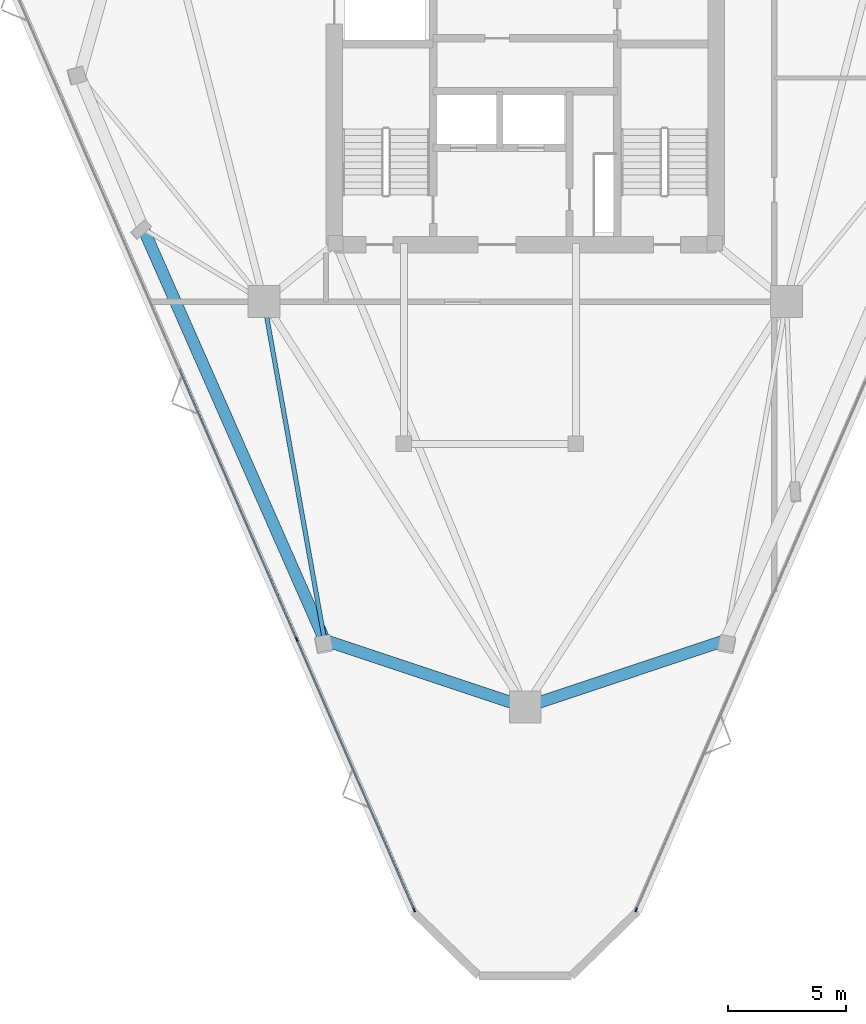
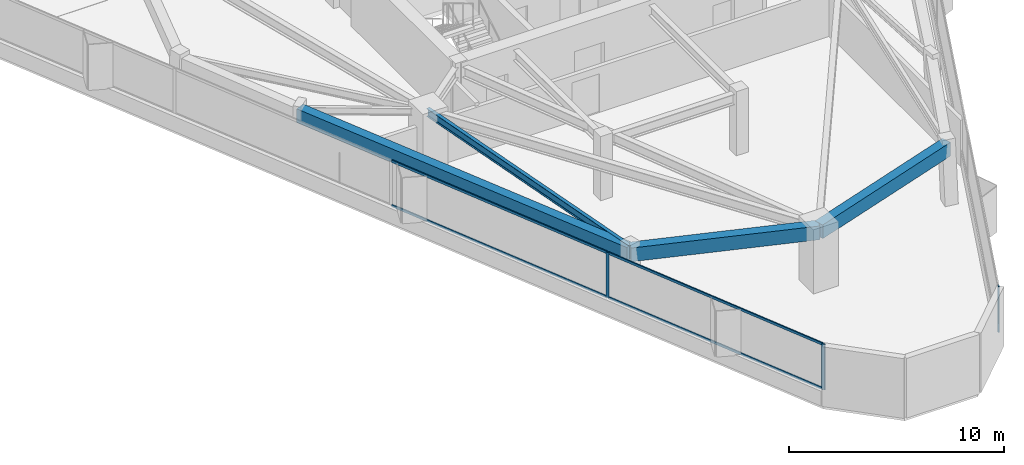
# One storey, part 2 of 13: 7 members, 4 beams, 2 elements without a shape of their own.
"""IFC4 building model written with IfcOpenShell, lengths in metres."""

from ifc_helpers import new_model, si_unit, direction, frame, origin, origin_2d, place, context, subcontext, project, spatial, rectangle, i_section, extrude, material, layer, layer_set, material_profile, profile_set, type_object, element, aggregate, save


model = new_model("IFC4")

# Units and contexts
model_context = context("Model", 3, precision=1e-05, world=origin(), true_north=direction((0.0, 1.0)))
body_context = subcontext(model_context, "Body", "Model", "MODEL_VIEW")
ifc_project = project(units=[si_unit("LENGTHUNIT", "METRE"), si_unit("AREAUNIT", "SQUARE_METRE"), si_unit("VOLUMEUNIT", "CUBIC_METRE"), si_unit("PLANEANGLEUNIT", "RADIAN"), si_unit("MASSUNIT", "GRAM", prefix="KILO")], contexts=[model_context])

# Site, building, storey
site_placement = place(None, origin())
site = spatial("IfcSite", under=ifc_project, at=site_placement, CompositionType="ELEMENT")
building_placement = place(site_placement, origin())
building = spatial("IfcBuilding", under=site, at=building_placement, Name="Talyreon Biosciences Tower", CompositionType="ELEMENT")
storey_placement = place(building_placement, frame((0.0, 0.0, 212.25)))
storey = spatial("IfcBuildingStorey", under=building, at=storey_placement, Name="L56", CompositionType="ELEMENT", Elevation=212.25)

# Curtain wall, members
ifc_material_1 = material(Name="Thermally broken aluminium and low-E glazing", Category="aluminium")
ifc_layer = layer(ifc_material_1, 0.179931640625)
ifc_layer_set = layer_set([ifc_layer], Name="Thermally broken aluminium and low-E glazing")
curtain_wall_type = type_object("IfcCurtainWallType", Name="CurtainWall_Zone4Optical", PredefinedType="NOTDEFINED", material=ifc_layer_set)
curtain_wall_1_placement = place(storey_placement, origin())
curtain_wall_1 = element("IfcCurtainWall", 1, at=curtain_wall_1_placement, inside=storey, type_object=curtain_wall_type, Name="L56 Unitised Curtain Wall FCW-L56-00", PredefinedType="NOTDEFINED")
ifc_material_2 = material(Name="Anodised thermally broken aluminium", Category="aluminium")
ifc_material_profile_1 = material_profile(ifc_material_2, rectangle(XDim=0.06494140625, YDim=0.179931640625, at=origin_2d()), Name="ALUM MULLION 65x180")
ifc_profile_set_1 = profile_set([ifc_material_profile_1], Name="Anodised thermally broken aluminium")
member_type_1 = type_object("IfcMemberType", Name="CWMullion_65x180", PredefinedType="MULLION", material=ifc_profile_set_1)
member_1_placement = place(storey_placement, frame((61.290771484375, 33.060546875, 0.81005859375), z_axis=(0.0, 0.0, 1.0), x_axis=(-0.917221993355, -0.398376473835, 0.0)))
member_1 = element("IfcMember", 2, at=member_1_placement, type_object=member_type_1, Name="CW5 mullion 1", PredefinedType="MULLION", context=body_context, shape_type="SweptSolid", body=[
    extrude(rectangle(XDim=0.06494140625, YDim=0.179931640625, at=origin_2d()), origin(), (0.0, 0.0, 1.0), 2.58984375),
])
member_2_placement = place(storey_placement, frame((56.3037109375, 44.542724609375, 0.81005859375), z_axis=(0.0, 0.0, 1.0), x_axis=(-0.917221993355, -0.398376473835, 0.0)))
member_2 = element("IfcMember", 3, at=member_2_placement, type_object=member_type_1, Name="CW5 mullion 2", PredefinedType="MULLION", context=body_context, shape_type="SweptSolid", body=[
    extrude(rectangle(XDim=0.06494140625, YDim=0.179931640625, at=origin_2d()), origin(), (0.0, 0.0, 1.0), 2.58984375),
])

# Curtain wall, member
curtain_wall_2_placement = place(storey_placement, origin())
curtain_wall_2 = element("IfcCurtainWall", 4, at=curtain_wall_2_placement, inside=storey, type_object=curtain_wall_type, Name="L56 Unitised Curtain Wall FCW-L56-08", PredefinedType="NOTDEFINED")
member_3_placement = place(storey_placement, frame((70.709228515625, 33.060546875, 0.81005859375), z_axis=(0.0, 0.0, 1.0), x_axis=(0.917221993355, -0.398376473835, 0.0)))
member_3 = element("IfcMember", 5, at=member_3_placement, type_object=member_type_1, Name="CW5 mullion 5", PredefinedType="MULLION", context=body_context, shape_type="SweptSolid", body=[
    extrude(rectangle(XDim=0.06494140625, YDim=0.179931640625, at=origin_2d()), origin(), (0.0, 0.0, 1.0), 2.58984375),
])
aggregate(curtain_wall_2, [member_3])

# Member
ifc_material_profile_2 = material_profile(ifc_material_2, rectangle(XDim=0.06494140625, YDim=0.139892578125, at=origin_2d()), Name="ALUM TRANSOM 65x140")
ifc_profile_set_2 = profile_set([ifc_material_profile_2], Name="Anodised thermally broken aluminium")
member_type_2 = type_object("IfcMemberType", Name="CWTransom_65x140", PredefinedType="USERDEFINED", material=ifc_profile_set_2)
member_4_placement = place(storey_placement, frame((61.27783203125, 33.09033203125, 0.842529296875), z_axis=(-0.398376978135, 0.917221774323, 0.0), x_axis=(-0.917221774323, -0.398376978135, 0.0)))
member_4 = element("IfcMember", 6, at=member_4_placement, type_object=member_type_2, Name="CW5 transom 1.1", ObjectType="TRANSOM", PredefinedType="USERDEFINED", context=body_context, shape_type="SweptSolid", body=[
    extrude(rectangle(XDim=0.06494140625, YDim=0.139892578125, at=origin_2d()), origin(), (0.0, 0.0, 1.0), 12.453369140625),
])

member_5_placement = place(storey_placement, frame((61.27783203125, 33.09033203125, 3.367431640625), z_axis=(-0.398376978135, 0.917221774323, 0.0), x_axis=(-0.917221774323, -0.398376978135, 0.0)))
member_5 = element("IfcMember", 7, at=member_5_placement, type_object=member_type_2, Name="CW5 transom 1.2", ObjectType="TRANSOM", PredefinedType="USERDEFINED", context=body_context, shape_type="SweptSolid", body=[
    extrude(rectangle(XDim=0.06494140625, YDim=0.139892578125, at=origin_2d()), origin(), (0.0, 0.0, 1.0), 12.453369140625),
])

member_6_placement = place(storey_placement, frame((56.290771484375, 44.572509765625, 0.842529296875), z_axis=(-0.39837717116, 0.917221690486, 0.0), x_axis=(-0.917221690486, -0.39837717116, 0.0)))
member_6 = element("IfcMember", 8, at=member_6_placement, type_object=member_type_2, Name="CW5 transom 2.1", ObjectType="TRANSOM", PredefinedType="USERDEFINED", context=body_context, shape_type="SweptSolid", body=[
    extrude(rectangle(XDim=0.06494140625, YDim=0.139892578125, at=origin_2d()), origin(), (0.0, 0.0, 1.0), 12.48583984375),
])

member_7_placement = place(storey_placement, frame((56.290771484375, 44.572509765625, 3.367431640625), z_axis=(-0.39837717116, 0.917221690486, 0.0), x_axis=(-0.917221690486, -0.39837717116, 0.0)))
member_7 = element("IfcMember", 9, at=member_7_placement, type_object=member_type_2, Name="CW5 transom 2.2", ObjectType="TRANSOM", PredefinedType="USERDEFINED", context=body_context, shape_type="SweptSolid", body=[
    extrude(rectangle(XDim=0.06494140625, YDim=0.139892578125, at=origin_2d()), origin(), (0.0, 0.0, 1.0), 12.48583984375),
])

aggregate(curtain_wall_1, [member_1, member_2, member_4, member_5, member_6, member_7])

# Beams
ifc_material_3 = material(Name="Precast concrete C45/55", Category="concrete")
ifc_material_profile_3 = material_profile(ifc_material_3, rectangle(XDim=0.5, YDim=0.780029296875, at=origin_2d()), Name="RCB 500x780")
ifc_profile_set_3 = profile_set([ifc_material_profile_3], Name="Precast concrete C45/55")
beam_type_1 = type_object("IfcBeamType", Name="ExpressedSpandrel_500x780", PredefinedType="SPANDREL", material=ifc_profile_set_3)
beam_1_placement = place(storey_placement, frame((66.0, 41.6669921875, 3.010009765625), z_axis=(0.948574451079, 0.316554119796, 0.0), x_axis=(-0.316554119796, 0.948574451079, 0.0)))
element("IfcBeam", 10, at=beam_1_placement, inside=storey, type_object=beam_type_1, Name="L56 Expressed Horizontal Concrete Spandrel 01", PredefinedType="SPANDREL", context=body_context, shape_type="SweptSolid", body=[
    extrude(rectangle(XDim=0.5, YDim=0.780029296875, at=origin_2d()), origin(), (0.0, 0.0, 1.0), 8.9765625),
])
beam_2_placement = place(storey_placement, frame((49.79345703125, 61.966796875, 3.010009765625), z_axis=(0.403178581747, -0.915121320493, 0.0), x_axis=(0.915121320493, 0.403178581747, 0.0)))
element("IfcBeam", 11, at=beam_2_placement, inside=storey, type_object=beam_type_1, Name="L56 Expressed Horizontal Concrete Spandrel 11", PredefinedType="SPANDREL", context=body_context, shape_type="SweptSolid", body=[
    extrude(rectangle(XDim=0.5, YDim=0.780029296875, at=origin_2d()), origin(), (0.0, 0.0, 1.0), 19.07763671875),
])
beam_3_placement = place(storey_placement, frame((57.485107421875, 44.508544921875, 3.010009765625), z_axis=(0.948574451079, -0.316554119796, 0.0), x_axis=(0.316554119796, 0.948574451079, 0.0)))
element("IfcBeam", 12, at=beam_3_placement, inside=storey, type_object=beam_type_1, Name="L56 Expressed Horizontal Concrete Spandrel 12", PredefinedType="SPANDREL", context=body_context, shape_type="SweptSolid", body=[
    extrude(rectangle(XDim=0.5, YDim=0.780029296875, at=origin_2d()), origin(), (0.0, 0.0, 1.0), 8.9765625),
])
ifc_material_4 = material(Name="Steel SM355", Category="steel")
ifc_material_profile_4 = material_profile(ifc_material_4, i_section(OverallWidth=0.18994140625, OverallDepth=0.449951171875, WebThickness=0.009521484375, FlangeThickness=0.0146484375, FilletRadius=0.02099609375, at=origin_2d()), Name="IPE450")
ifc_profile_set_4 = profile_set([ifc_material_profile_4], Name="Steel SM355")
beam_type_2 = type_object("IfcBeamType", Name="SteelJoist_IPE450", PredefinedType="JOIST", material=ifc_profile_set_4)
beam_4_placement = place(storey_placement, frame((54.913818359375, 58.88037109375, 3.175048828125), z_axis=(0.176115311238, -0.98436954298, 0.0), x_axis=(0.98436954298, 0.176115311238, 0.0)))
element("IfcBeam", 13, at=beam_4_placement, inside=storey, type_object=beam_type_2, Name="L56 Radial Composite Floor Joist PC-SW2", PredefinedType="JOIST", context=body_context, shape_type="SweptSolid", body=[
    extrude(i_section(OverallWidth=0.18994140625, OverallDepth=0.449951171875, WebThickness=0.009521484375, FlangeThickness=0.0146484375, FilletRadius=0.02099609375, at=origin_2d()), origin(), (0.0, 0.0, 1.0), 14.60009765625),
])

save(model, "model.ifc")
